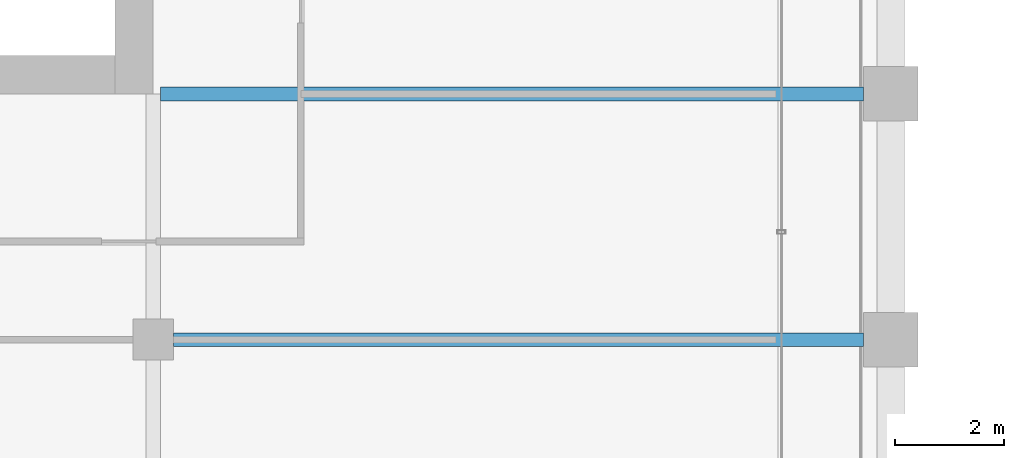
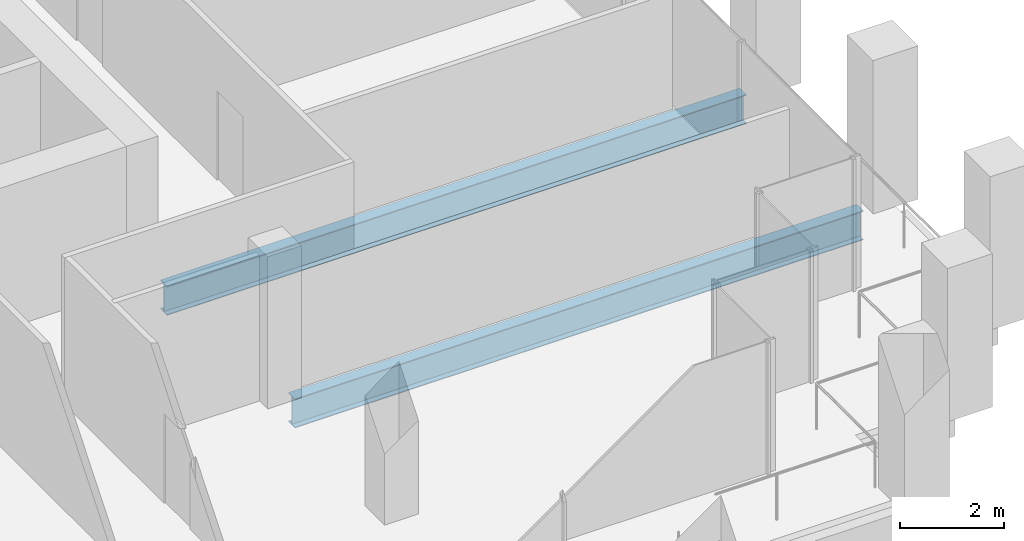
# One storey, part 14 of 46: 2 beams.
"""IFC4 building model written with IfcOpenShell, lengths in metres."""

from ifc_helpers import new_model, si_unit, direction, frame, origin, origin_2d, place, context, subcontext, project, spatial, i_section, extrude, material, material_profile, profile_set, type_object, element, save


model = new_model("IFC4")

# Units and contexts
model_context = context("Model", 3, precision=1e-05, world=origin(), true_north=direction((0.0, 1.0)))
body_context = subcontext(model_context, "Body", "Model", "MODEL_VIEW")
ifc_project = project(units=[si_unit("LENGTHUNIT", "METRE"), si_unit("AREAUNIT", "SQUARE_METRE"), si_unit("VOLUMEUNIT", "CUBIC_METRE"), si_unit("PLANEANGLEUNIT", "RADIAN"), si_unit("MASSUNIT", "GRAM", prefix="KILO")], contexts=[model_context])

# Site, building, storey
site_placement = place(None, origin())
site = spatial("IfcSite", under=ifc_project, at=site_placement, CompositionType="ELEMENT")
building_placement = place(site_placement, origin())
building = spatial("IfcBuilding", under=site, at=building_placement, Name="Altepetl Exchange Towers", CompositionType="ELEMENT")
storey_placement = place(building_placement, frame((0.0, 0.0, 131.60009765625)))
storey = spatial("IfcBuildingStorey", under=building, at=storey_placement, Name="L32", CompositionType="ELEMENT", Elevation=131.60009765625)

# Beams
ifc_material = material(Name="Steel S355", Category="steel")
ifc_material_profile = material_profile(ifc_material, i_section(OverallWidth=0.25390625, OverallDepth=0.68408203125, WebThickness=0.012451171875, FlangeThickness=0.018798828125, at=origin_2d()), Name="W27X94")
ifc_profile_set = profile_set([ifc_material_profile], Name="Steel S355")
beam_type = type_object("IfcBeamType", Name="Floor beam W27X94", PredefinedType="BEAM", material=ifc_profile_set)
beam_1_placement = place(storey_placement, frame((58.875, 36.0, -0.4921875), z_axis=(1.0, 0.0, 0.0), x_axis=(0.0, 1.0, 0.0)))
element("IfcBeam", 1, at=beam_1_placement, inside=storey, type_object=beam_type, Name="bm:A:L32:007", PredefinedType="BEAM", context=body_context, shape_type="SweptSolid", body=[
    extrude(i_section(OverallWidth=0.25390625, OverallDepth=0.68408203125, WebThickness=0.012451171875, FlangeThickness=0.018798828125, at=origin_2d()), origin(), (0.0, 0.0, 1.0), 12.625),
])
beam_2_placement = place(storey_placement, frame((58.634033203125, 40.5, -0.4921875), z_axis=(1.0, 0.0, 0.0), x_axis=(0.0, 1.0, 0.0)))
element("IfcBeam", 2, at=beam_2_placement, inside=storey, type_object=beam_type, Name="bm:A:L32:008", PredefinedType="BEAM", context=body_context, shape_type="SweptSolid", body=[
    extrude(i_section(OverallWidth=0.25390625, OverallDepth=0.68408203125, WebThickness=0.012451171875, FlangeThickness=0.018798828125, at=origin_2d()), origin(), (0.0, 0.0, 1.0), 12.865966796875),
])

save(model, "model.ifc")
